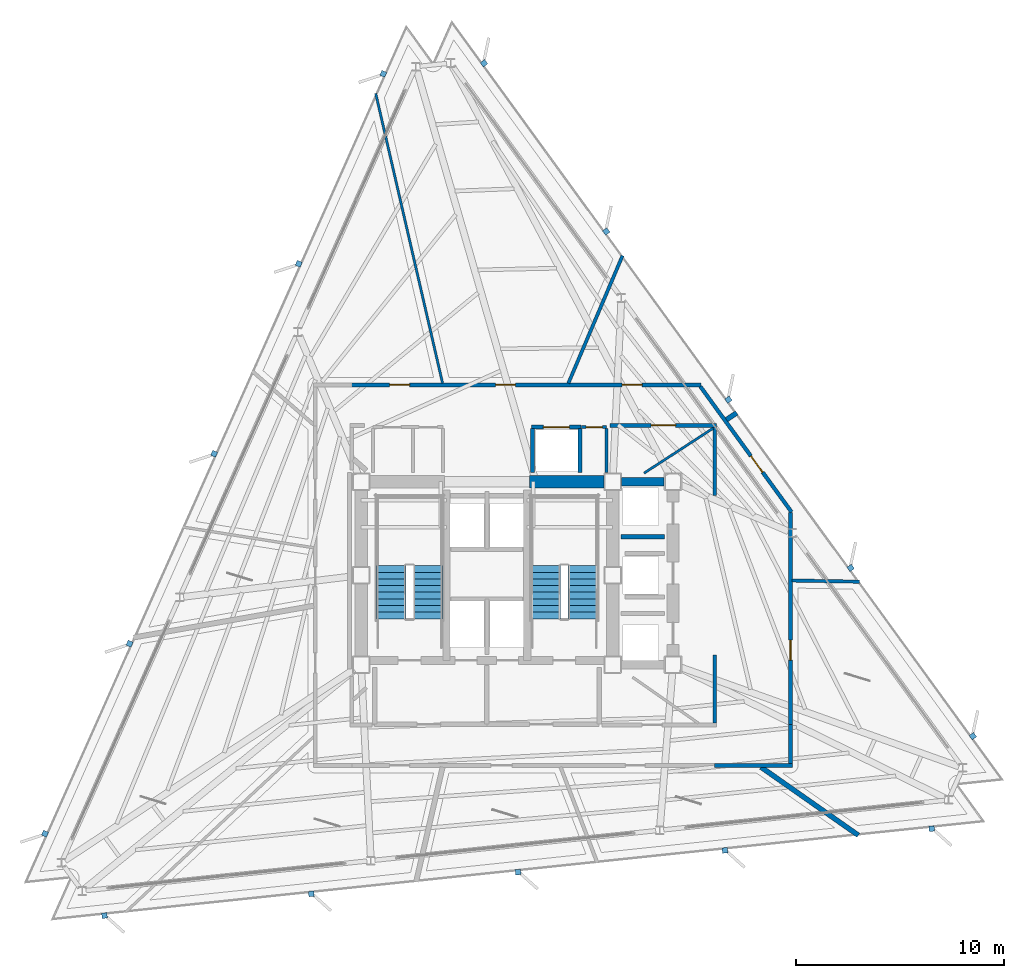
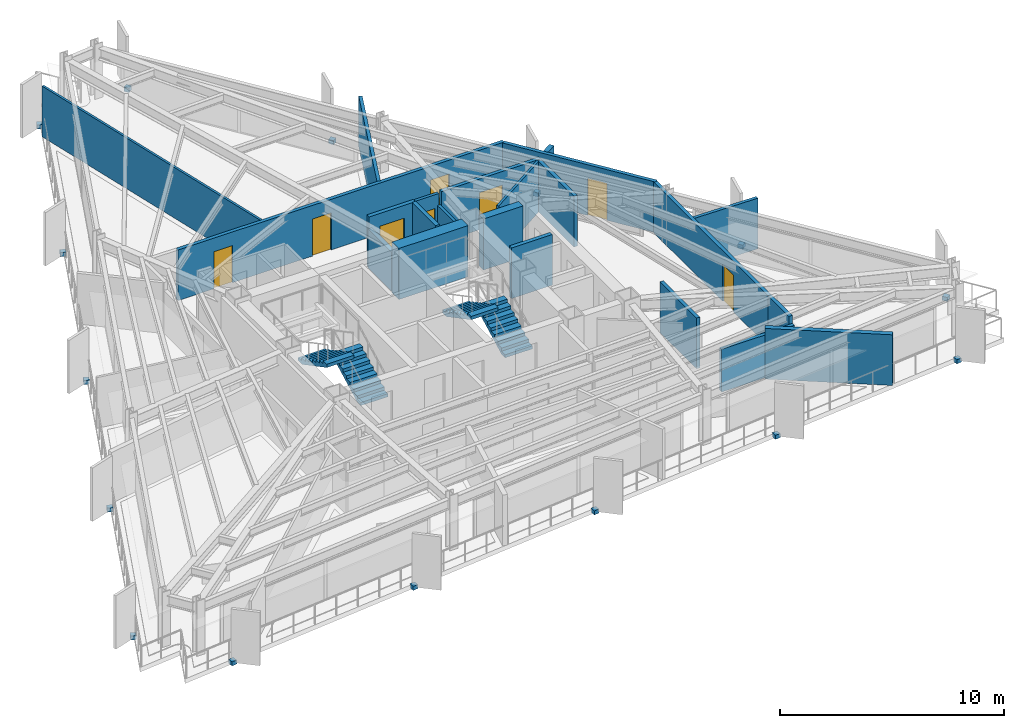
# One storey, part 9 of 12: 22 walls, 15 discrete accessories, 8 doors, 4 stair flights, 8 openings, 2 elements without a shape of their own.
"""IFC4 building model written with IfcOpenShell, lengths in metres."""

import ifcopenshell
import ifcopenshell.guid

model = None  # the IFC model being written
_history = None  # IfcOwnerHistory: only IFC2X3 demands one
_inside = {}  # id of a spatial element -> (the spatial element, [elements in it])
_under = {}  # id of a project, library or spatial element -> (it, [spatial elements below it])
_declared = {}  # id of a project -> (the project, [libraries it declares])
_typed = {}  # id of a type object -> (the type object, [elements of that type])
_made_of = {}  # id of a material, layer set ... -> (it, [elements and type objects made of it])


def new_model(schema):
    """Start an empty IFC model of exactly this schema.

    Asked for "IFC4X3", IfcOpenShell would pick the latest addendum, in which some entities
    have other attributes; the version numbers below select the first issue.
    IFC2X3 requires an IfcOwnerHistory on every rooted entity: one is made here for all.
    """
    global model, _history
    if schema == "IFC4X3":
        model = ifcopenshell.file(schema_version=(4, 3, 0, 0))
    else:
        model = ifcopenshell.file(schema=schema)
    _inside.clear()
    _under.clear()
    _declared.clear()
    _typed.clear()
    _made_of.clear()
    _history = None
    if model.schema == "IFC2X3":
        org = make("IfcOrganization", Name="unknown")
        user = make(
            "IfcPersonAndOrganization",
            ThePerson=make("IfcPerson", FamilyName="unknown"),
            TheOrganization=org,
        )
        app = make(
            "IfcApplication",
            ApplicationDeveloper=org,
            Version="unknown",
            ApplicationFullName="unknown",
            ApplicationIdentifier="unknown",
        )
        _history = make(
            "IfcOwnerHistory",
            OwningUser=user,
            OwningApplication=app,
            ChangeAction="ADDED",
            CreationDate=0,
        )
    return model


def make(cls, **values):
    """One entity of the class cls with the attributes given. An attribute that is None is left unset."""
    return model.create_entity(
        cls, **{name: value for name, value in values.items() if value is not None}
    )


def rooted(cls, **values):
    """An entity with a GlobalId (a new one), such as an element, a storey or a relation."""
    return make(cls, GlobalId=ifcopenshell.guid.new(), OwnerHistory=_history, **values)


def si_unit(unit_type, name, prefix=None):
    """IfcSIUnit, for example si_unit("LENGTHUNIT", "METRE", prefix="MILLI")."""
    return make("IfcSIUnit", UnitType=unit_type, Prefix=prefix, Name=name)


def assignment(units):
    """IfcUnitAssignment: the units of a project."""
    return None if units is None else make("IfcUnitAssignment", Units=units)


def point(xyz):
    """IfcCartesianPoint."""
    return None if xyz is None else make("IfcCartesianPoint", Coordinates=xyz)


def direction(xyz):
    """IfcDirection."""
    return None if xyz is None else make("IfcDirection", DirectionRatios=xyz)


def frame(location, z_axis=None, x_axis=None):
    """IfcAxis2Placement3D, a coordinate frame: its origin and axes. An axis left out is left unset."""
    return make(
        "IfcAxis2Placement3D",
        Location=point(location),
        Axis=direction(z_axis),
        RefDirection=direction(x_axis),
    )


def frame_2d(location, x_axis=None):
    """IfcAxis2Placement2D, a coordinate frame in the plane: its origin and x axis."""
    return make(
        "IfcAxis2Placement2D", Location=point(location), RefDirection=direction(x_axis)
    )


def origin():
    """The frame at (0, 0, 0) with its axes left unset."""
    return frame((0.0, 0.0, 0.0))


def origin_2d():
    """The frame at (0, 0) in the plane with its x axis left unset."""
    return frame_2d((0.0, 0.0))


def place(relative_to, where):
    """IfcLocalPlacement: puts the frame where relative to a parent placement (None: the world)."""
    return make(
        "IfcLocalPlacement", PlacementRelTo=relative_to, RelativePlacement=where
    )


def context(
    kind, dimensions, precision=None, world=None, true_north=None, identifier=None
):
    """IfcGeometricRepresentationContext, for example the 3D "Model" context."""
    return make(
        "IfcGeometricRepresentationContext",
        ContextIdentifier=identifier,
        ContextType=kind,
        CoordinateSpaceDimension=dimensions,
        Precision=precision,
        WorldCoordinateSystem=world,
        TrueNorth=true_north,
    )


def subcontext(parent, identifier, kind, view, scale=None):
    """IfcGeometricRepresentationSubContext, for example "Body" below "Model"."""
    return make(
        "IfcGeometricRepresentationSubContext",
        ContextIdentifier=identifier,
        ContextType=kind,
        ParentContext=parent,
        TargetScale=scale,
        TargetView=view,
    )


def project(units=None, contexts=None):
    """IfcProject with its units and contexts."""
    return rooted(
        "IfcProject",
        Name="project",
        RepresentationContexts=contexts,
        UnitsInContext=assignment(units),
    )


def spatial(cls, under=None, at=None, **own):
    """A site, building, storey or space (cls), placed at a placement, below another one or the project."""
    s = rooted(cls, ObjectPlacement=at, **own)
    if under is not None:
        _under.setdefault(under.id(), (under, []))[1].append(s)
    return s


def polyline(points):
    """IfcPolyline through the points."""
    return make("IfcPolyline", Points=[point(p) for p in points])


def profile(cls, at=None, kind="AREA", **sizes):
    """A parametric profile (cls). Its sizes go by their IFC names, for example OverallWidth=200.0."""
    return make(cls, ProfileType=kind, Position=at, **sizes)


def rectangle(**sizes):
    """IfcRectangleProfileDef."""
    return profile("IfcRectangleProfileDef", **sizes)


def outline(outer, holes=None, kind="AREA"):
    """IfcArbitraryClosedProfileDef: a profile drawn as a closed curve; with holes, ...WithVoids."""
    if holes is None:
        return make("IfcArbitraryClosedProfileDef", ProfileType=kind, OuterCurve=outer)
    return make(
        "IfcArbitraryProfileDefWithVoids",
        ProfileType=kind,
        OuterCurve=outer,
        InnerCurves=holes,
    )


def extrude(swept, where, along, depth):
    """IfcExtrudedAreaSolid: the profile swept, set in the frame where, extruded along a direction by depth."""
    return make(
        "IfcExtrudedAreaSolid",
        SweptArea=swept,
        Position=where,
        ExtrudedDirection=direction(along),
        Depth=depth,
    )


def shape(context_of_items, identifier, shape_type, items):
    """IfcShapeRepresentation: the items that make up one representation, for example the "Body"."""
    return make(
        "IfcShapeRepresentation",
        ContextOfItems=context_of_items,
        RepresentationIdentifier=identifier,
        RepresentationType=shape_type,
        Items=items,
    )


def material(Name=None, Category=None):
    """IfcMaterial."""
    return make("IfcMaterial", Name=Name, Category=Category)


def layer(
    of_material, thickness, ventilated=None, Name=None, Category=None, Priority=None
):
    """IfcMaterialLayer: one layer of a wall or slab, of a material (None: an air gap)."""
    return make(
        "IfcMaterialLayer",
        Material=of_material,
        LayerThickness=thickness,
        IsVentilated=ventilated,
        Name=Name,
        Category=Category,
        Priority=Priority,
    )


def layer_set(layers, Name=None):
    """IfcMaterialLayerSet."""
    return make("IfcMaterialLayerSet", MaterialLayers=layers, LayerSetName=Name)


def made_of(thing, what):
    """Note that an element or type object is made of a material, layer set ...; save() writes the relation."""
    if what is not None:
        _made_of.setdefault(what.id(), (what, []))[1].append(thing)
    return thing


def type_object(cls, material=None, **own):
    """A type object (cls), such as IfcWallType, which elements share."""
    return made_of(rooted(cls, **own), material)


def element(
    cls,
    number,
    at=None,
    inside=None,
    cuts=None,
    type_object=None,
    material=None,
    context=None,
    identifier="Body",
    shape_type=None,
    held_by="IfcProductDefinitionShape",
    body=None,
    shapes=None,
    **own,
):
    """One element of the class cls, such as IfcWall. Its Tag is "e" and its number.

    at: its placement. inside: the storey or other place that contains it. cuts: it is an
    opening in that element (IfcRelVoidsElement). A single representation is given by context,
    identifier, shape_type and body (its items); several are given by shapes. held_by: the class
    of the entity that holds the representations. save() writes the other relations.
    """
    e = rooted(cls, Tag="e%d" % number, ObjectPlacement=at, **own)
    if body is not None:
        shapes = [shape(context, identifier, shape_type, body)]
    if shapes is not None:
        e.Representation = make(held_by, Representations=shapes)
    if inside is not None:
        _inside.setdefault(inside.id(), (inside, []))[1].append(e)
    if cuts is not None:
        rooted(
            "IfcRelVoidsElement", RelatingBuildingElement=cuts, RelatedOpeningElement=e
        )
    if type_object is not None:
        _typed.setdefault(type_object.id(), (type_object, []))[1].append(e)
    return made_of(e, material)


def fill(opening, filler):
    """IfcRelFillsElement: the door or window that sits in an opening."""
    return rooted(
        "IfcRelFillsElement",
        RelatingOpeningElement=opening,
        RelatedBuildingElement=filler,
    )


def aggregate(whole, parts):
    """IfcRelAggregates: a whole, such as a stair, and the parts it consists of."""
    return rooted("IfcRelAggregates", RelatingObject=whole, RelatedObjects=parts)


def save(model, path):
    """Write the relations noted so far, then the file.

    IfcRelAggregates (storeys below a building ...), IfcRelContainedInSpatialStructure (elements
    in a storey), IfcRelDefinesByType, IfcRelAssociatesMaterial and IfcRelDeclares: one each for
    every whole, place, type object, material and project.
    """
    for whole, parts in _under.values():
        aggregate(whole, parts)
    for where, things in _inside.values():
        rooted(
            "IfcRelContainedInSpatialStructure",
            RelatedElements=things,
            RelatingStructure=where,
        )
    for kind, things in _typed.values():
        rooted("IfcRelDefinesByType", RelatedObjects=things, RelatingType=kind)
    for what, things in _made_of.values():
        rooted("IfcRelAssociatesMaterial", RelatedObjects=things, RelatingMaterial=what)
    for by, libraries in _declared.values():
        rooted("IfcRelDeclares", RelatingContext=by, RelatedDefinitions=libraries)
    model.write(path)


model = new_model("IFC4")

# Units and contexts
model_context = context("Model", 3, precision=1e-05, world=origin(), true_north=direction((0.0, 1.0)))
body_context = subcontext(model_context, "Body", "Model", "MODEL_VIEW")
ifc_project = project(units=[si_unit("LENGTHUNIT", "METRE"), si_unit("AREAUNIT", "SQUARE_METRE"), si_unit("VOLUMEUNIT", "CUBIC_METRE"), si_unit("PLANEANGLEUNIT", "RADIAN"), si_unit("MASSUNIT", "GRAM", prefix="KILO")], contexts=[model_context])

# Site, building, storey
site_placement = place(None, origin())
site = spatial("IfcSite", under=ifc_project, at=site_placement, CompositionType="ELEMENT")
building_placement = place(site_placement, origin())
building = spatial("IfcBuilding", under=site, at=building_placement, Name="Rocaltana Carrier Exchange", CompositionType="ELEMENT")
storey_placement = place(building_placement, frame((0.0, 0.0, 116.800048828125)))
storey = spatial("IfcBuildingStorey", under=building, at=storey_placement, Name="L36", CompositionType="ELEMENT", Elevation=116.800048828125)

# Walls
ifc_material_1 = material(Name="Double Acoustic Gypsum Partition", Category="gypsum")
ifc_layer_1 = layer(ifc_material_1, 0.159912109375)
ifc_layer_set_1 = layer_set([ifc_layer_1], Name="Double Acoustic Gypsum Partition")
wall_type_1 = type_object("IfcWallType", Name="Acoustic Studio Partition 160 EI60", PredefinedType="PARTITIONING", material=ifc_layer_set_1)
wall_1_placement = place(storey_placement, frame((14.679931640625, -0.256103515625, 0.0), z_axis=(0.0, 0.0, 1.0), x_axis=(0.999846583078, -0.017516001455, 0.0)))
element("IfcWall", 1, at=wall_1_placement, inside=storey, type_object=wall_type_1, Name="L36 Suite Divider Wall D8", PredefinedType="PARTITIONING", context=body_context, shape_type="SweptSolid", body=[
    extrude(rectangle(XDim=3.233642578125, YDim=0.159912109375, at=frame_2d((1.61669921875, 0.0))), origin(), (0.0, 0.0, 1.0), 2.762939453125),
])
wall_2_placement = place(storey_placement, frame((3.91796875, 9.22998046875, 0.0), z_axis=(0.0, 0.0, 1.0), x_axis=(0.390716336296, 0.920511132226, 0.0)))
element("IfcWall", 2, at=wall_2_placement, inside=storey, type_object=wall_type_1, Name="L36 Suite Divider Wall D11", PredefinedType="PARTITIONING", context=body_context, shape_type="SweptSolid", body=[
    extrude(rectangle(XDim=6.665283203125, YDim=0.159912109375, at=frame_2d((3.33251953125, 0.0))), origin(), (0.0, 0.0, 1.0), 2.762939453125),
])
ifc_material_2 = material(Name="Concrete C50/60", Category="concrete")
ifc_layer_2 = layer(ifc_material_2, 0.39990234375)
ifc_layer_set_2 = layer_set([ifc_layer_2], Name="Concrete C50/60")
wall_type_2 = type_object("IfcWallType", Name="Core Internal Shear Wall 400", PredefinedType="SHEAR", material=ifc_layer_set_2)
wall_3_placement = place(storey_placement, frame((6.47509765625, 4.5, 0.0), z_axis=(0.0, 0.0, 1.0), x_axis=(1.0, 0.0, 0.0)))
element("IfcWall", 3, at=wall_3_placement, inside=storey, type_object=wall_type_2, Name="L36 Core Shear Wall CW-EWN", PredefinedType="SHEAR", context=body_context, shape_type="SweptSolid", body=[
    extrude(rectangle(XDim=2.0498046875, YDim=0.39990234375, at=frame_2d((1.02490234375, 0.0))), origin(), (0.0, 0.0, 1.0), 2.787841796875),
])
ifc_material_3 = material(Name="Concrete C50/60", Category="concrete")
ifc_layer_3 = layer(ifc_material_3, 0.60009765625)
ifc_layer_set_3 = layer_set([ifc_layer_3], Name="Concrete C50/60")
wall_type_3 = type_object("IfcWallType", Name="Core Shear Wall 600", PredefinedType="SHEAR", material=ifc_layer_set_3)
wall_4_placement = place(storey_placement, frame((2.050048828125, 4.5, 0.0), z_axis=(0.0, 0.0, 1.0), x_axis=(1.0, 0.0, 0.0)))
element("IfcWall", 4, at=wall_4_placement, inside=storey, type_object=wall_type_3, Name="L36 Core Shear Wall CW-N2", PredefinedType="SHEAR", context=body_context, shape_type="SweptSolid", body=[
    extrude(rectangle(XDim=3.574951171875, YDim=0.60009765625, at=frame_2d((1.78759765625, 0.0))), origin(), (0.0, 0.0, 1.0), 2.787841796875),
])

# Wall, openings, doors
ifc_material_4 = material(Name="Gypsum & Steel Stud Partition", Category="steel")
ifc_layer_4 = layer(ifc_material_4, 0.179931640625)
ifc_layer_set_4 = layer_set([ifc_layer_4], Name="Gypsum & Steel Stud Partition")
wall_type_4 = type_object("IfcWallType", Name="Corridor Fire Partition 180 EI60", PredefinedType="PARTITIONING", material=ifc_layer_set_4)
wall_5_placement = place(storey_placement, frame((-6.52001953125, 9.14990234375, 0.0), z_axis=(0.0, 0.0, 1.0), x_axis=(1.0, 0.0, 0.0)))
wall_5 = element("IfcWall", 5, at=wall_5_placement, inside=storey, type_object=wall_type_4, Name="L36 Corridor Partition 6", PredefinedType="PARTITIONING", context=body_context, shape_type="SweptSolid", body=[
    extrude(rectangle(XDim=16.820068359375, YDim=0.179931640625, at=frame_2d((8.41015625, 0.0))), origin(), (0.0, 0.0, 1.0), 2.762939453125),
])
opening_1_placement = place(wall_5_placement, frame((13.022216796875, 0.0, 0.0)))
opening_1 = element("IfcOpeningElement", 6, at=opening_1_placement, cuts=wall_5, Name="Opening D-RM098", PredefinedType="OPENING", context=body_context, shape_type="SweptSolid", body=[
    extrude(rectangle(XDim=0.9599609375, YDim=2.02001953125, at=frame_2d((0.47998046875, 1.010009765625))), frame((0.0, 0.099853515625, 0.0), z_axis=(0.0, -1.0, 0.0), x_axis=(1.0, 0.0, 0.0)), (0.0, 0.0, 1.0), 0.199951171875),
])
opening_2_placement = place(wall_5_placement, frame((6.933837890625, 0.0, 0.0)))
opening_2 = element("IfcOpeningElement", 7, at=opening_2_placement, cuts=wall_5, Name="Opening D-RM098", PredefinedType="OPENING", context=body_context, shape_type="SweptSolid", body=[
    extrude(rectangle(XDim=0.9599609375, YDim=2.02001953125, at=frame_2d((0.47998046875, 1.010009765625))), frame((0.0, 0.099853515625, 0.0), z_axis=(0.0, -1.0, 0.0), x_axis=(1.0, 0.0, 0.0)), (0.0, 0.0, 1.0), 0.199951171875),
])
opening_3_placement = place(wall_5_placement, frame((1.843505859375, 0.0, 0.0)))
opening_3 = element("IfcOpeningElement", 8, at=opening_3_placement, cuts=wall_5, Name="Opening D-RM098", PredefinedType="OPENING", context=body_context, shape_type="SweptSolid", body=[
    extrude(rectangle(XDim=0.9599609375, YDim=2.02001953125, at=frame_2d((0.47998046875, 1.010009765625))), frame((0.0, 0.099853515625, 0.0), z_axis=(0.0, -1.0, 0.0), x_axis=(1.0, 0.0, 0.0)), (0.0, 0.0, 1.0), 0.199951171875),
])
ifc_material_5 = material(Name="Engineered Hardwood Timber", Category="wood")
door_type_1 = type_object("IfcDoorType", Name="Workspace Single Door 960x2020", OperationType="NOTDEFINED", PredefinedType="DOOR", material=ifc_material_5)
door_1_placement = place(opening_1_placement, origin())
door_1 = element("IfcDoor", 9, at=door_1_placement, inside=storey, type_object=door_type_1, Name="L36 Cloud Architecture Office Entrance Door", OperationType="SINGLE_SWING_LEFT", OverallHeight=2.02001953125, OverallWidth=0.9599609375, PredefinedType="DOOR", context=body_context, shape_type="SweptSolid", body=[
    extrude(rectangle(XDim=0.9599609375, YDim=2.02001953125, at=frame_2d((0.47998046875, 1.010009765625))), frame((0.0, 0.02490234375, 0.0), z_axis=(0.0, -1.0, 0.0), x_axis=(1.0, 0.0, 0.0)), (0.0, 0.0, 1.0), 0.050048828125),
])
fill(opening_1, door_1)
door_2_placement = place(opening_2_placement, origin())
door_2 = element("IfcDoor", 10, at=door_2_placement, inside=storey, type_object=door_type_1, Name="L36 Peering Conference Room Entrance Door", OperationType="SINGLE_SWING_RIGHT", OverallHeight=2.02001953125, OverallWidth=0.9599609375, PredefinedType="DOOR", context=body_context, shape_type="SweptSolid", body=[
    extrude(rectangle(XDim=0.9599609375, YDim=2.02001953125, at=frame_2d((0.47998046875, 1.010009765625))), frame((0.0, 0.02490234375, 0.0), z_axis=(0.0, -1.0, 0.0), x_axis=(1.0, 0.0, 0.0)), (0.0, 0.0, 1.0), 0.050048828125),
])
fill(opening_2, door_2)
door_3_placement = place(opening_3_placement, origin())
door_3 = element("IfcDoor", 11, at=door_3_placement, inside=storey, type_object=door_type_1, Name="L36 Incident Briefing Room Entrance Door", OperationType="SINGLE_SWING_LEFT", OverallHeight=2.02001953125, OverallWidth=0.9599609375, PredefinedType="DOOR", context=body_context, shape_type="SweptSolid", body=[
    extrude(rectangle(XDim=0.9599609375, YDim=2.02001953125, at=frame_2d((0.47998046875, 1.010009765625))), frame((0.0, 0.02490234375, 0.0), z_axis=(0.0, -1.0, 0.0), x_axis=(1.0, 0.0, 0.0)), (0.0, 0.0, 1.0), 0.050048828125),
])
fill(opening_3, door_3)

# Wall, opening, door
wall_6_placement = place(storey_placement, frame((10.262939453125, 9.0771484375, 0.0), z_axis=(0.0, 0.0, 1.0), x_axis=(0.587780951295, -0.809020119215, 0.0)))
wall_6 = element("IfcWall", 12, at=wall_6_placement, inside=storey, type_object=wall_type_4, Name="L36 Corridor Partition 7", PredefinedType="PARTITIONING", context=body_context, shape_type="SweptSolid", body=[
    extrude(rectangle(XDim=7.468505859375, YDim=0.179931640625, at=frame_2d((3.734375, 0.0))), origin(), (0.0, 0.0, 1.0), 2.762939453125),
])
opening_4_placement = place(wall_6_placement, frame((4.13916015625, 0.0, 0.0)))
opening_4 = element("IfcOpeningElement", 13, at=opening_4_placement, cuts=wall_6, Name="Opening D-RM098", PredefinedType="OPENING", context=body_context, shape_type="SweptSolid", body=[
    extrude(rectangle(XDim=0.9599609375, YDim=2.02001953125, at=frame_2d((0.47998046875, 1.010009765625))), frame((0.0, 0.099853515625, 0.0), z_axis=(0.0, -1.0, 0.0), x_axis=(1.0, 0.0, 0.0)), (0.0, 0.0, 1.0), 0.199951171875),
])
door_4_placement = place(opening_4_placement, origin())
door_4 = element("IfcDoor", 14, at=door_4_placement, inside=storey, type_object=door_type_1, Name="L36 Incident Briefing Room Entrance Door", OperationType="SINGLE_SWING_LEFT", OverallHeight=2.02001953125, OverallWidth=0.9599609375, PredefinedType="DOOR", context=body_context, shape_type="SweptSolid", body=[
    extrude(rectangle(XDim=0.9599609375, YDim=2.02001953125, at=frame_2d((0.47998046875, 1.010009765625))), frame((0.0, 0.02490234375, 0.0), z_axis=(0.0, -1.0, 0.0), x_axis=(1.0, 0.0, 0.0)), (0.0, 0.0, 1.0), 0.050048828125),
])
fill(opening_4, door_4)

wall_7_placement = place(storey_placement, frame((14.60009765625, 3.017578125, 0.0), z_axis=(0.0, 0.0, 1.0), x_axis=(0.0, -1.0, 0.0)))
wall_7 = element("IfcWall", 15, at=wall_7_placement, inside=storey, type_object=wall_type_4, Name="L36 Corridor Partition 8", PredefinedType="PARTITIONING", context=body_context, shape_type="SweptSolid", body=[
    extrude(rectangle(XDim=10.237548828125, YDim=0.179931640625, at=frame_2d((5.11865234375, 0.0))), origin(), (0.0, 0.0, 1.0), 2.762939453125),
])
opening_5_placement = place(wall_7_placement, frame((6.145751953125, 0.0, 0.0)))
opening_5 = element("IfcOpeningElement", 16, at=opening_5_placement, cuts=wall_7, Name="Opening D-RM098", PredefinedType="OPENING", context=body_context, shape_type="SweptSolid", body=[
    extrude(rectangle(XDim=0.9599609375, YDim=2.02001953125, at=frame_2d((0.47998046875, 1.010009765625))), frame((0.0, 0.099853515625, 0.0), z_axis=(0.0, -1.0, 0.0), x_axis=(1.0, 0.0, 0.0)), (0.0, 0.0, 1.0), 0.199951171875),
])
door_5_placement = place(opening_5_placement, origin())
door_5 = element("IfcDoor", 17, at=door_5_placement, inside=storey, type_object=door_type_1, Name="L36 Quiet Focus Lounge Entrance Door", OperationType="SINGLE_SWING_RIGHT", OverallHeight=2.02001953125, OverallWidth=0.9599609375, PredefinedType="DOOR", context=body_context, shape_type="SweptSolid", body=[
    extrude(rectangle(XDim=0.9599609375, YDim=2.02001953125, at=frame_2d((0.47998046875, 1.010009765625))), frame((0.0, 0.02490234375, 0.0), z_axis=(0.0, -1.0, 0.0), x_axis=(1.0, 0.0, 0.0)), (0.0, 0.0, 1.0), 0.050048828125),
])
fill(opening_5, door_5)

# Walls
wall_8_placement = place(storey_placement, frame((14.60009765625, -7.179931640625, 0.0), z_axis=(0.0, 0.0, 1.0), x_axis=(0.0, -1.0, 0.0)))
element("IfcWall", 18, at=wall_8_placement, inside=storey, type_object=wall_type_4, Name="L36 Corridor Partition 9", PredefinedType="PARTITIONING", context=body_context, shape_type="SweptSolid", body=[
    extrude(rectangle(XDim=1.880126953125, YDim=0.179931640625, at=frame_2d((0.93994140625, 0.0))), origin(), (0.0, 0.0, 1.0), 2.762939453125),
])
wall_9_placement = place(storey_placement, frame((14.68994140625, -9.14990234375, 0.0), z_axis=(0.0, 0.0, 1.0), x_axis=(-1.0, 0.0, 0.0)))
element("IfcWall", 19, at=wall_9_placement, inside=storey, type_object=wall_type_4, Name="L36 Corridor Partition 10", PredefinedType="PARTITIONING", context=body_context, shape_type="SweptSolid", body=[
    extrude(rectangle(XDim=3.75, YDim=0.179931640625, at=frame_2d((1.875, 0.0))), origin(), (0.0, 0.0, 1.0), 2.329833984375),
])
for number, where, z_axis, x_axis, name in (
    (20, (10.9599609375, -7.110107421875, 0.0), (0.0, 0.0, 1.0), (0.0, 1.0, 0.0), "L36 Corridor Partition 13"),
    (21, (10.9599609375, 3.839599609375, 0.0), (0.0, 0.0, 1.0), (0.0, 1.0, 0.0), "L36 Corridor Partition 14"),
):
    element("IfcWall", number, at=place(storey_placement, frame(where, z_axis=z_axis, x_axis=x_axis)), inside=storey, type_object=wall_type_4, Name=name, PredefinedType="PARTITIONING", context=body_context, shape_type="SweptSolid", body=[
        extrude(rectangle(XDim=3.2705078125, YDim=0.179931640625, at=frame_2d((1.63525390625, 0.0))), origin(), (0.0, 0.0, 1.0), 2.762939453125),
    ])

# Wall, opening, door
wall_10_placement = place(storey_placement, frame((11.050048828125, 7.199951171875, 0.0), z_axis=(0.0, 0.0, 1.0), x_axis=(-1.0, 0.0, 0.0)))
wall_10 = element("IfcWall", 22, at=wall_10_placement, inside=storey, type_object=wall_type_4, Name="L36 Corridor Partition 15", PredefinedType="PARTITIONING", context=body_context, shape_type="SweptSolid", body=[
    extrude(rectangle(XDim=5.1201171875, YDim=0.179931640625, at=frame_2d((2.56005859375, 0.0))), origin(), (0.0, 0.0, 1.0), 2.762939453125),
])
opening_6_placement = place(wall_10_placement, frame((1.969970703125, 0.0, 0.0)))
opening_6 = element("IfcOpeningElement", 23, at=opening_6_placement, cuts=wall_10, Name="Opening D-SU120", PredefinedType="OPENING", context=body_context, shape_type="SweptSolid", body=[
    extrude(rectangle(XDim=1.179931640625, YDim=2.02001953125, at=frame_2d((0.58984375, 1.010009765625))), frame((0.0, 0.099853515625, 0.0), z_axis=(0.0, -1.0, 0.0), x_axis=(1.0, 0.0, 0.0)), (0.0, 0.0, 1.0), 0.199951171875),
])
ifc_material_6 = material(Name="Engineered Hardwood Timber", Category="wood")
door_type_2 = type_object("IfcDoorType", Name="Suite Double Entrance Door 1180x2020", OperationType="NOTDEFINED", PredefinedType="DOOR", material=ifc_material_6)
door_6_placement = place(opening_6_placement, origin())
door_6 = element("IfcDoor", 24, at=door_6_placement, inside=storey, type_object=door_type_2, Name="L36 Carrier Peering Suite Entrance Door", OperationType="SINGLE_SWING_RIGHT", OverallHeight=2.02001953125, OverallWidth=1.179931640625, PredefinedType="DOOR", context=body_context, shape_type="SweptSolid", body=[
    extrude(rectangle(XDim=1.179931640625, YDim=2.02001953125, at=frame_2d((0.58984375, 1.010009765625))), frame((0.0, 0.02490234375, 0.0), z_axis=(0.0, -1.0, 0.0), x_axis=(1.0, 0.0, 0.0)), (0.0, 0.0, 1.0), 0.050048828125),
])
fill(opening_6, door_6)

# Walls
ifc_material_7 = material(Name="Aluminium 6063-T6 & Acoustic Glass", Category="aluminium")
ifc_layer_5 = layer(ifc_material_7, 0.114990234375)
ifc_layer_set_5 = layer_set([ifc_layer_5], Name="Aluminium 6063-T6 & Acoustic Glass")
wall_type_5 = type_object("IfcWallType", Name="Demountable Glazed Lab Partition 115", PredefinedType="MOVABLE", material=ifc_layer_set_5)
wall_11_placement = place(storey_placement, frame((7.560791015625, 4.909912109375, 0.0), z_axis=(0.0, 0.0, 1.0), x_axis=(0.838633829817, 0.544695602595, 0.0)))
element("IfcWall", 25, at=wall_11_placement, inside=storey, type_object=wall_type_5, Name="L36 Suite Divider Wall D9", PredefinedType="MOVABLE", context=body_context, shape_type="SweptSolid", body=[
    extrude(rectangle(XDim=3.957763671875, YDim=0.114990234375, at=frame_2d((1.97900390625, 0.0))), origin(), (0.0, 0.0, 1.0), 2.762939453125),
])
wall_12_placement = place(storey_placement, frame((-2.130859375, 9.22998046875, 0.0), z_axis=(0.0, 0.0, 1.0), x_axis=(-0.224960484743, 0.974367887558, 0.0)))
element("IfcWall", 26, at=wall_12_placement, inside=storey, type_object=wall_type_5, Name="L36 Suite Divider Wall D12", PredefinedType="MOVABLE", context=body_context, shape_type="SweptSolid", body=[
    extrude(rectangle(XDim=14.302734375, YDim=0.114990234375, at=frame_2d((7.1513671875, 0.0))), origin(), (0.0, 0.0, 1.0), 2.762939453125),
])
ifc_material_8 = material(Name="Acoustic Calcium Silicate Partition", Category="gypsum")
ifc_layer_6 = layer(ifc_material_8, 0.239990234375)
ifc_layer_set_6 = layer_set([ifc_layer_6], Name="Acoustic Calcium Silicate Partition")
wall_type_6 = type_object("IfcWallType", Name="Heavy Lab Partition 240 EI90", PredefinedType="PARTITIONING", material=ifc_layer_set_6)
wall_13_placement = place(storey_placement, frame((13.181884765625, -9.22998046875, 0.0), z_axis=(0.0, 0.0, 1.0), x_axis=(0.819133610169, -0.573602762102, 0.0)))
element("IfcWall", 27, at=wall_13_placement, inside=storey, type_object=wall_type_6, Name="L36 Suite Divider Wall D7", PredefinedType="PARTITIONING", context=body_context, shape_type="SweptSolid", body=[
    extrude(rectangle(XDim=5.717529296875, YDim=0.239990234375, at=frame_2d((2.85888671875, 0.0))), origin(), (0.0, 0.0, 1.0), 2.762939453125),
])
wall_14_placement = place(storey_placement, frame((11.52099609375, 7.481689453125, 0.0), z_axis=(0.0, 0.0, 1.0), x_axis=(0.838415292805, 0.545031922726, 0.0)))
element("IfcWall", 28, at=wall_14_placement, inside=storey, type_object=wall_type_6, Name="L36 Suite Divider Wall D10", PredefinedType="PARTITIONING", context=body_context, shape_type="SweptSolid", body=[
    extrude(rectangle(XDim=0.5908203125, YDim=0.239990234375, at=frame_2d((0.29541015625, 0.0))), origin(), (0.0, 0.0, 1.0), 2.762939453125),
])
ifc_material_9 = material(Name="Reinforced Concrete Block C35/45", Category="concrete")
ifc_layer_7 = layer(ifc_material_9, 0.199951171875)
ifc_layer_set_7 = layer_set([ifc_layer_7], Name="Reinforced Concrete Block C35/45")
wall_type_7 = type_object("IfcWallType", Name="Lift Hoistway Enclosure Wall 200 EI120", PredefinedType="PARTITIONING", material=ifc_layer_set_7)
wall_15_placement = place(storey_placement, frame((2.199951171875, 4.949951171875, 0.0), z_axis=(0.0, 0.0, 1.0), x_axis=(0.0, 1.0, 0.0)))
element("IfcWall", 29, at=wall_15_placement, inside=storey, type_object=wall_type_7, Name="L36 Goods Lift West Wall", PredefinedType="PARTITIONING", context=body_context, shape_type="SweptSolid", body=[
    extrude(rectangle(XDim=2.10009765625, YDim=0.199951171875, at=frame_2d((1.050048828125, 0.0))), origin(), (0.0, 0.0, 1.0), 2.1318359375),
])
wall_16_placement = place(storey_placement, frame((4.47998046875, 4.949951171875, 0.0), z_axis=(0.0, 0.0, 1.0), x_axis=(0.0, 1.0, 0.0)))
element("IfcWall", 30, at=wall_16_placement, inside=storey, type_object=wall_type_7, Name="L36 Goods Lift East Wall", PredefinedType="PARTITIONING", context=body_context, shape_type="SweptSolid", body=[
    extrude(rectangle(XDim=2.10009765625, YDim=0.199951171875, at=frame_2d((1.050048828125, 0.0))), origin(), (0.0, 0.0, 1.0), 2.762939453125),
])

# Wall, opening, door
wall_17_placement = place(storey_placement, frame((2.14990234375, 7.1201171875, 0.0), z_axis=(0.0, 0.0, 1.0), x_axis=(1.0, 0.0, 0.0)))
wall_17 = element("IfcWall", 31, at=wall_17_placement, inside=storey, type_object=wall_type_7, Name="L36 Goods Lift Front Wall", PredefinedType="PARTITIONING", context=body_context, shape_type="SweptSolid", body=[
    extrude(rectangle(XDim=2.380126953125, YDim=0.199951171875, at=frame_2d((1.18994140625, 0.0))), origin(), (0.0, 0.0, 1.0), 2.762939453125),
])
opening_7_placement = place(wall_17_placement, frame((0.56005859375, 0.0, 0.0)))
opening_7 = element("IfcOpeningElement", 32, at=opening_7_placement, cuts=wall_17, Name="Opening LD-130", PredefinedType="OPENING", context=body_context, shape_type="SweptSolid", body=[
    extrude(rectangle(XDim=1.260009765625, YDim=2.06005859375, at=frame_2d((0.6298828125, 1.030029296875))), frame((0.0, 0.10986328125, 0.0), z_axis=(0.0, -1.0, 0.0), x_axis=(1.0, 0.0, 0.0)), (0.0, 0.0, 1.0), 0.219970703125),
])
ifc_material_10 = material(Name="Brushed Stainless Sliding Door Leaf", Category="steel")
door_type_3 = type_object("IfcDoorType", Name="Goods Lift Landing Sliding Door 1260x2060", OperationType="NOTDEFINED", PredefinedType="DOOR", material=ifc_material_10)
door_7_placement = place(opening_7_placement, origin())
door_7 = element("IfcDoor", 33, at=door_7_placement, inside=storey, type_object=door_type_3, Name="L36 Goods Lift GL-1 Landing Door", OperationType="SLIDING_TO_LEFT", OverallHeight=2.06005859375, OverallWidth=1.260009765625, PredefinedType="DOOR", context=body_context, shape_type="SweptSolid", body=[
    extrude(rectangle(XDim=1.260009765625, YDim=2.06005859375, at=frame_2d((0.6298828125, 1.030029296875))), frame((0.0, 0.02490234375, 0.0), z_axis=(0.0, -1.0, 0.0), x_axis=(1.0, 0.0, 0.0)), (0.0, 0.0, 1.0), 0.050048828125),
])
fill(opening_7, door_7)

# Walls
wall_18_placement = place(storey_placement, frame((6.449951171875, 1.85009765625, 0.0), z_axis=(0.0, 0.0, 1.0), x_axis=(1.0, 0.0, 0.0)))
element("IfcWall", 34, at=wall_18_placement, inside=storey, type_object=wall_type_7, Name="L36 Mid-Rise Shaft Divider 2", PredefinedType="PARTITIONING", context=body_context, shape_type="SweptSolid", body=[
    extrude(rectangle(XDim=2.10009765625, YDim=0.199951171875, at=frame_2d((1.050048828125, 0.0))), origin(), (0.0, 0.0, 1.0), 2.762939453125),
])
ifc_material_11 = material(Name="Moisture-Resistant Masonry C30/37", Category="masonry")
ifc_layer_8 = layer(ifc_material_11, 0.139892578125)
ifc_layer_set_8 = layer_set([ifc_layer_8], Name="Moisture-Resistant Masonry C30/37")
wall_type_8 = type_object("IfcWallType", Name="Wet-Area Sanitary Partition 140", PredefinedType="PARTITIONING", material=ifc_layer_set_8)
wall_19_placement = place(storey_placement, frame((5.760009765625, 4.949951171875, 0.0), z_axis=(0.0, 0.0, 1.0), x_axis=(0.0, 1.0, 0.0)))
element("IfcWall", 35, at=wall_19_placement, inside=storey, type_object=wall_type_8, Name="L36 Riser East Wall", PredefinedType="PARTITIONING", context=body_context, shape_type="SweptSolid", body=[
    extrude(rectangle(XDim=2.10009765625, YDim=0.139892578125, at=frame_2d((1.050048828125, 0.0))), origin(), (0.0, 0.0, 1.0), 2.1318359375),
])

# Wall, opening, door
wall_20_placement = place(storey_placement, frame((4.56005859375, 7.1201171875, 0.0), z_axis=(0.0, 0.0, 1.0), x_axis=(1.0, 0.0, 0.0)))
wall_20 = element("IfcWall", 36, at=wall_20_placement, inside=storey, type_object=wall_type_8, Name="L36 Riser North Wall", PredefinedType="PARTITIONING", context=body_context, shape_type="SweptSolid", body=[
    extrude(rectangle(XDim=1.199951171875, YDim=0.139892578125, at=frame_2d((0.60009765625, 0.0))), origin(), (0.0, 0.0, 1.0), 2.762939453125),
])
opening_8_placement = place(wall_20_placement, frame((0.2099609375, 0.0, 0.0)))
opening_8 = element("IfcOpeningElement", 37, at=opening_8_placement, cuts=wall_20, Name="Opening D-RS082", PredefinedType="OPENING", context=body_context, shape_type="SweptSolid", body=[
    extrude(rectangle(XDim=0.780029296875, YDim=2.010009765625, at=frame_2d((0.39013671875, 1.0048828125))), frame((0.0, 0.079833984375, 0.0), z_axis=(0.0, -1.0, 0.0), x_axis=(1.0, 0.0, 0.0)), (0.0, 0.0, 1.0), 0.159912109375),
])
ifc_material_12 = material(Name="Hollow Metal Access Door Leaf", Category="steel")
door_type_4 = type_object("IfcDoorType", Name="Riser & Service Closet Door 780x2010", OperationType="NOTDEFINED", PredefinedType="DOOR", material=ifc_material_12)
door_8_placement = place(opening_8_placement, origin())
door_8 = element("IfcDoor", 38, at=door_8_placement, inside=storey, type_object=door_type_4, Name="L36 Fibre Riser Closet Door", OperationType="SINGLE_SWING_LEFT", OverallHeight=2.010009765625, OverallWidth=0.780029296875, PredefinedType="DOOR", context=body_context, shape_type="SweptSolid", body=[
    extrude(rectangle(XDim=0.780029296875, YDim=2.010009765625, at=frame_2d((0.39013671875, 1.0048828125))), frame((0.0, 0.02490234375, 0.0), z_axis=(0.0, -1.0, 0.0), x_axis=(1.0, 0.0, 0.0)), (0.0, 0.0, 1.0), 0.050048828125),
])
fill(opening_8, door_8)

# Stair, stair flights
ifc_material_13 = material(Name="Precast concrete C45/55", Category="concrete")
stair_type = type_object("IfcStairType", Name="Standard Dog-Leg Stair 160", PredefinedType="HALF_TURN_STAIR", material=ifc_material_13)
stair_1_placement = place(storey_placement, origin())
stair_1 = element("IfcStair", 39, at=stair_1_placement, inside=storey, type_object=stair_type, Name="L36 Core West Exit Stair ST-1", PredefinedType="HALF_TURN_STAIR")
ifc_material_14 = material(Name="Precast concrete C45/55", Category="concrete")
stair_flight_type = type_object("IfcStairFlightType", Name="Precast Stair Flight 160", PredefinedType="STRAIGHT", material=ifc_material_14)
stair_flight_1_placement = place(storey_placement, frame((-2.840087890625, -2.10009765625, 0.0), z_axis=(0.0, 0.0, 1.0), x_axis=(0.0, 1.0, 0.0)))
stair_flight_1 = element("IfcStairFlight", 40, at=stair_flight_1_placement, type_object=stair_flight_type, Name="ST-1 flight 1", NumberOfRisers=9, NumberOfTreads=8, PredefinedType="STRAIGHT", RiserHeight=0.168888889, TreadLength=0.32, context=body_context, shape_type="SweptSolid", body=[
    extrude(outline(polyline([(0.0, 0.0), (0.0, 0.1689453125), (0.320068359375, 0.1689453125), (0.320068359375, 0.337890625), (0.639892578125, 0.337890625), (0.639892578125, 0.506591796875), (0.9599609375, 0.506591796875), (0.9599609375, 0.675537109375), (1.280029296875, 0.675537109375), (1.280029296875, 0.844482421875), (1.60009765625, 0.844482421875), (1.60009765625, 1.013427734375), (1.919921875, 1.013427734375), (1.919921875, 1.18212890625), (2.239990234375, 1.18212890625), (2.239990234375, 1.35107421875), (2.56005859375, 1.35107421875), (2.56005859375, 1.52001953125), (2.56005859375, 1.17041015625), (0.342529296875, 0.0), (0.0, 0.0)])), frame((0.0, 0.699951171875, 0.0), z_axis=(0.0, -1.0, 0.0), x_axis=(1.0, 0.0, 0.0)), (0.0, 0.0, 1.0), 1.39990234375),
])
stair_flight_2_placement = place(storey_placement, frame((-4.60009765625, 0.4599609375, 1.52001953125), z_axis=(0.0, 0.0, 1.0), x_axis=(0.0, -1.0, 0.0)))
stair_flight_2 = element("IfcStairFlight", 41, at=stair_flight_2_placement, type_object=stair_flight_type, Name="ST-1 flight 2", NumberOfRisers=9, NumberOfTreads=8, PredefinedType="STRAIGHT", RiserHeight=0.168888889, TreadLength=0.32, context=body_context, shape_type="SweptSolid", body=[
    extrude(outline(polyline([(0.0, 0.0), (0.0, 0.1689453125), (0.320068359375, 0.1689453125), (0.320068359375, 0.337890625), (0.639892578125, 0.337890625), (0.639892578125, 0.506591796875), (0.9599609375, 0.506591796875), (0.9599609375, 0.675537109375), (1.280029296875, 0.675537109375), (1.280029296875, 0.844482421875), (1.60009765625, 0.844482421875), (1.60009765625, 1.013427734375), (1.919921875, 1.013427734375), (1.919921875, 1.18212890625), (2.239990234375, 1.18212890625), (2.239990234375, 1.35107421875), (2.56005859375, 1.35107421875), (2.56005859375, 1.52001953125), (2.56005859375, 1.17041015625), (0.342529296875, 0.0), (0.0, 0.0)])), frame((0.0, 0.699951171875, 0.0), z_axis=(0.0, -1.0, 0.0), x_axis=(1.0, 0.0, 0.0)), (0.0, 0.0, 1.0), 1.39990234375),
])
aggregate(stair_1, [stair_flight_1, stair_flight_2])

stair_2_placement = place(storey_placement, origin())
stair_2 = element("IfcStair", 42, at=stair_2_placement, inside=storey, type_object=stair_type, Name="L36 Core East Exit Stair ST-2", PredefinedType="HALF_TURN_STAIR")
stair_flight_3_placement = place(storey_placement, frame((4.60009765625, -2.10009765625, 0.0), z_axis=(0.0, 0.0, 1.0), x_axis=(0.0, 1.0, 0.0)))
stair_flight_3 = element("IfcStairFlight", 43, at=stair_flight_3_placement, type_object=stair_flight_type, Name="ST-2 flight 1", NumberOfRisers=9, NumberOfTreads=8, PredefinedType="STRAIGHT", RiserHeight=0.168888889, TreadLength=0.32, context=body_context, shape_type="SweptSolid", body=[
    extrude(outline(polyline([(0.0, 0.0), (0.0, 0.1689453125), (0.320068359375, 0.1689453125), (0.320068359375, 0.337890625), (0.639892578125, 0.337890625), (0.639892578125, 0.506591796875), (0.9599609375, 0.506591796875), (0.9599609375, 0.675537109375), (1.280029296875, 0.675537109375), (1.280029296875, 0.844482421875), (1.60009765625, 0.844482421875), (1.60009765625, 1.013427734375), (1.919921875, 1.013427734375), (1.919921875, 1.18212890625), (2.239990234375, 1.18212890625), (2.239990234375, 1.35107421875), (2.56005859375, 1.35107421875), (2.56005859375, 1.52001953125), (2.56005859375, 1.17041015625), (0.342529296875, 0.0), (0.0, 0.0)])), frame((0.0, 0.699951171875, 0.0), z_axis=(0.0, -1.0, 0.0), x_axis=(1.0, 0.0, 0.0)), (0.0, 0.0, 1.0), 1.39990234375),
])
stair_flight_4_placement = place(storey_placement, frame((2.840087890625, 0.4599609375, 1.52001953125), z_axis=(0.0, 0.0, 1.0), x_axis=(0.0, -1.0, 0.0)))
stair_flight_4 = element("IfcStairFlight", 44, at=stair_flight_4_placement, type_object=stair_flight_type, Name="ST-2 flight 2", NumberOfRisers=9, NumberOfTreads=8, PredefinedType="STRAIGHT", RiserHeight=0.168888889, TreadLength=0.32, context=body_context, shape_type="SweptSolid", body=[
    extrude(outline(polyline([(0.0, 0.0), (0.0, 0.1689453125), (0.320068359375, 0.1689453125), (0.320068359375, 0.337890625), (0.639892578125, 0.337890625), (0.639892578125, 0.506591796875), (0.9599609375, 0.506591796875), (0.9599609375, 0.675537109375), (1.280029296875, 0.675537109375), (1.280029296875, 0.844482421875), (1.60009765625, 0.844482421875), (1.60009765625, 1.013427734375), (1.919921875, 1.013427734375), (1.919921875, 1.18212890625), (2.239990234375, 1.18212890625), (2.239990234375, 1.35107421875), (2.56005859375, 1.35107421875), (2.56005859375, 1.52001953125), (2.56005859375, 1.17041015625), (0.342529296875, 0.0), (0.0, 0.0)])), frame((0.0, 0.699951171875, 0.0), z_axis=(0.0, -1.0, 0.0), x_axis=(1.0, 0.0, 0.0)), (0.0, 0.0, 1.0), 1.39990234375),
])
aggregate(stair_2, [stair_flight_3, stair_flight_4])

# Discrete accessories
ifc_material_15 = material(Name="Brushed Architectural Stainless Metal", Category="steel")
ifc_layer_9 = layer(ifc_material_15, 0.219970703125)
ifc_layer_set_9 = layer_set([ifc_layer_9], Name="Brushed Architectural Stainless Metal")
discrete_accessory_type = type_object("IfcDiscreteAccessoryType", Name="Stainless Fin Slab-Edge Bracket 260x260x220", PredefinedType="BRACKET", material=ifc_layer_set_9)
for number, where, z_axis, x_axis, name in (
    (45, (23.371826171875, -7.74072265625, -0.2099609375), (0.0, 0.0, 1.0), (-0.587785252292, 0.809016994375, 0.0), "L36 Sandstone Fin Edge Bracket F1-01"),
    (46, (17.493896484375, 0.349365234375, -0.2099609375), (0.0, 0.0, 1.0), (-0.587785252292, 0.809016994375, 0.0), "L36 Sandstone Fin Edge Bracket F1-02"),
    (47, (11.6162109375, 8.439697265625, -0.2099609375), (0.0, 0.0, 1.0), (-0.587785252292, 0.809016994375, 0.0), "L36 Sandstone Fin Edge Bracket F1-03"),
    (48, (5.73828125, 16.52978515625, -0.2099609375), (0.0, 0.0, 1.0), (-0.587785252292, 0.809016994375, 0.0), "L36 Sandstone Fin Edge Bracket F1-04"),
    (49, (-0.1396484375, 24.619873046875, -0.2099609375), (0.0, 0.0, 1.0), (-0.587785252292, 0.809016994375, 0.0), "L36 Sandstone Fin Edge Bracket F1-05"),
    (50, (-4.982177734375, 24.111083984375, -0.2099609375), (0.0, 0.0, 1.0), (-0.406736643076, -0.913545457643, 0.0), "L36 Sandstone Fin Edge Bracket F2-01"),
    (51, (-9.049560546875, 14.9755859375, -0.2099609375), (0.0, 0.0, 1.0), (-0.406736643076, -0.913545457643, 0.0), "L36 Sandstone Fin Edge Bracket F2-02"),
    (52, (-13.116943359375, 5.840087890625, -0.2099609375), (0.0, 0.0, 1.0), (-0.406736643076, -0.913545457643, 0.0), "L36 Sandstone Fin Edge Bracket F2-03"),
    (53, (-17.184326171875, -3.29541015625, -0.2099609375), (0.0, 0.0, 1.0), (-0.406736643076, -0.913545457643, 0.0), "L36 Sandstone Fin Edge Bracket F2-04"),
    (54, (-21.251708984375, -12.430908203125, -0.2099609375), (0.0, 0.0, 1.0), (-0.406736643076, -0.913545457643, 0.0), "L36 Sandstone Fin Edge Bracket F2-05"),
    (55, (-18.3896484375, -16.3701171875, -0.2099609375), (0.0, 0.0, 1.0), (0.994521895368, 0.104528463268, 0.0), "L36 Sandstone Fin Edge Bracket F3-01"),
    (56, (-8.4443359375, -15.324951171875, -0.2099609375), (0.0, 0.0, 1.0), (0.994521895368, 0.104528463268, 0.0), "L36 Sandstone Fin Edge Bracket F3-02"),
    (57, (1.500732421875, -14.279541015625, -0.2099609375), (0.0, 0.0, 1.0), (0.994521895368, 0.104528463268, 0.0), "L36 Sandstone Fin Edge Bracket F3-03"),
    (58, (11.446044921875, -13.234375, -0.2099609375), (0.0, 0.0, 1.0), (0.994521895368, 0.104528463268, 0.0), "L36 Sandstone Fin Edge Bracket F3-04"),
    (59, (21.391357421875, -12.189208984375, -0.2099609375), (0.0, 0.0, 1.0), (0.994521895368, 0.104528463268, 0.0), "L36 Sandstone Fin Edge Bracket F3-05"),
):
    element("IfcDiscreteAccessory", number, at=place(storey_placement, frame(where, z_axis=z_axis, x_axis=x_axis)), inside=storey, type_object=discrete_accessory_type, Name=name, PredefinedType="BRACKET", context=body_context, shape_type="SweptSolid", body=[
        extrude(rectangle(XDim=0.260009765625, YDim=0.260009765625, at=origin_2d()), origin(), (0.0, 0.0, 1.0), 0.219970703125),
    ])

save(model, "model.ifc")
